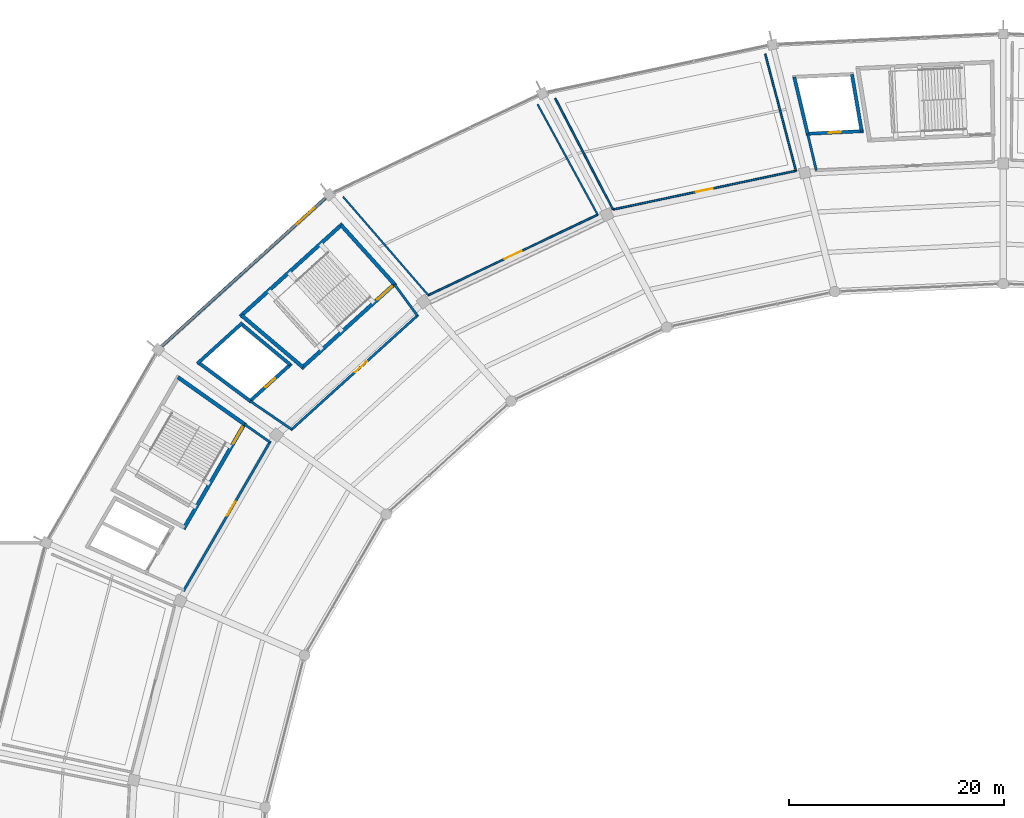
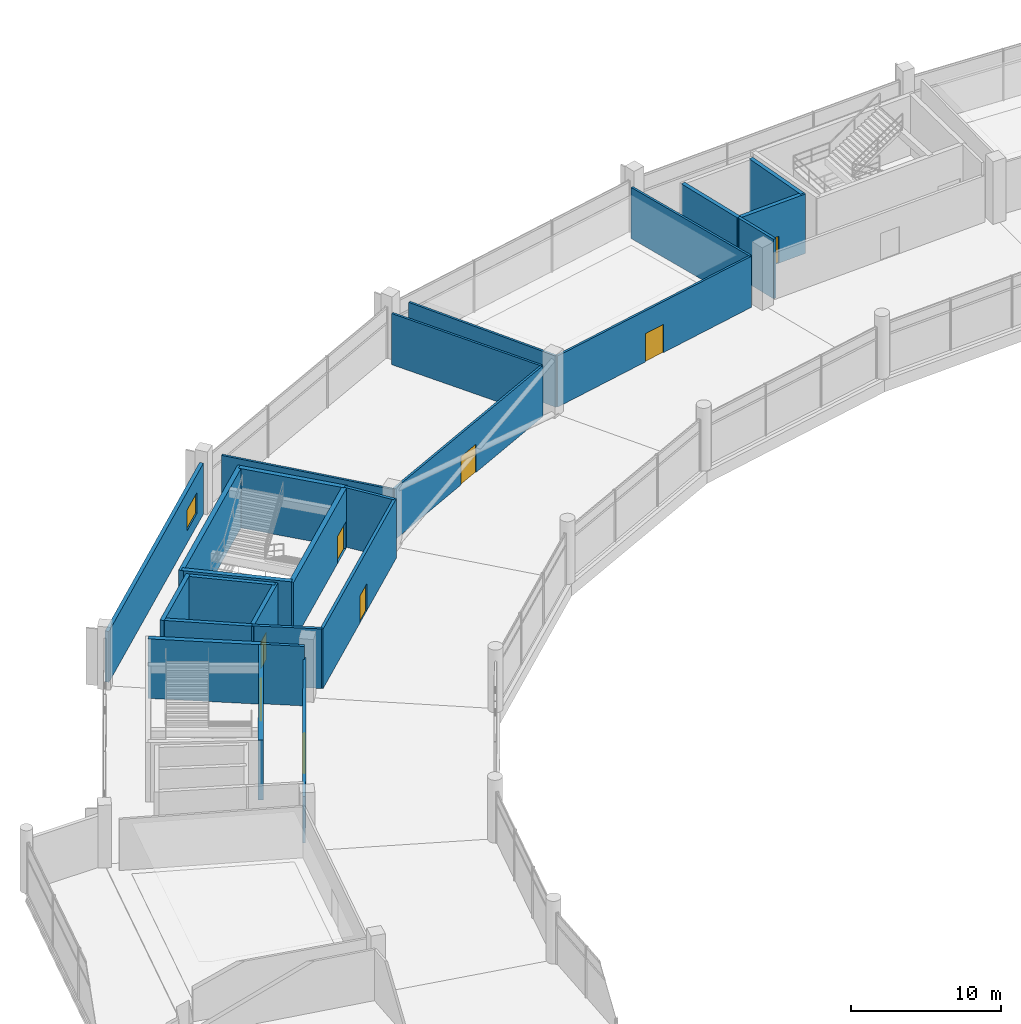
# One storey, part 150 of 184: 26 walls, 8 doors, 1 window, 9 openings.
"""IFC4 building model written with IfcOpenShell, lengths in metres."""

from ifc_helpers import new_model, si_unit, direction, frame, frame_2d, origin, place, context, subcontext, project, spatial, rectangle, extrude, material, layer, layer_set, type_object, element, fill, save


model = new_model("IFC4")

# Units and contexts
model_context = context("Model", 3, precision=1e-05, world=origin(), true_north=direction((0.0, 1.0)))
body_context = subcontext(model_context, "Body", "Model", "MODEL_VIEW")
ifc_project = project(units=[si_unit("LENGTHUNIT", "METRE"), si_unit("AREAUNIT", "SQUARE_METRE"), si_unit("VOLUMEUNIT", "CUBIC_METRE"), si_unit("PLANEANGLEUNIT", "RADIAN"), si_unit("MASSUNIT", "GRAM", prefix="KILO")], contexts=[model_context])

# Site, building, storey
site_placement = place(None, origin())
site = spatial("IfcSite", under=ifc_project, at=site_placement, CompositionType="ELEMENT")
building_placement = place(site_placement, origin())
building = spatial("IfcBuilding", under=site, at=building_placement, Name="Kazemori Nagisa Stadium", CompositionType="ELEMENT")
storey_placement = place(building_placement, frame((0.0, 0.0, 10.5400390625)))
storey = spatial("IfcBuildingStorey", under=building, at=storey_placement, Name="L02", CompositionType="ELEMENT", Elevation=10.5400390625)

# Wall, opening, door
ifc_material_1 = material(Name="Concrete C40/50 (Fc42)", Category="concrete")
ifc_layer_1 = layer(ifc_material_1, 0.35009765625, Name="Concrete C40/50 (Fc42)", Category="concrete")
ifc_layer_set_1 = layer_set([ifc_layer_1], Name="Concrete C40/50 (Fc42)")
wall_type_1 = type_object("IfcWallType", Name="Wall_W-CORE-350", PredefinedType="SHEAR", material=ifc_layer_set_1)
wall_1_placement = place(storey_placement, frame((66.583251953125, 164.860107421875, 0.0), z_axis=(0.0, 0.0, 1.0), x_axis=(-0.741348929385, -0.671119784315, 0.0)))
wall_1 = element("IfcWall", 1, at=wall_1_placement, inside=storey, type_object=wall_type_1, Name="Core stair front shear wall ST02 L02", PredefinedType="SHEAR", context=body_context, shape_type="SweptSolid", body=[
    extrude(rectangle(XDim=11.826416015625, YDim=0.35009765625, at=frame_2d((5.9130859375, 0.0))), origin(), (0.0, 0.0, 1.0), 4.83984375),
])
opening_1_placement = place(wall_1_placement, frame((0.47509765625, 0.0, 0.0)))
opening_1 = element("IfcOpeningElement", 2, at=opening_1_placement, cuts=wall_1, Name="Opening D-ST-1800", PredefinedType="OPENING", context=body_context, shape_type="SweptSolid", body=[
    extrude(rectangle(XDim=1.800048828125, YDim=2.199951171875, at=frame_2d((0.89990234375, 1.10009765625))), frame((0.0, 0.18505859375, 0.0), z_axis=(0.0, -1.0, 0.0), x_axis=(1.0, 0.0, 0.0)), (0.0, 0.0, 1.0), 0.3701171875),
])
ifc_material_2 = material(Name="Galvanised steel sheet", Category="steel")
door_type_1 = type_object("IfcDoorType", Name="Door_D-ST-1800", OperationType="NOTDEFINED", PredefinedType="DOOR", material=ifc_material_2)
door_1_placement = place(opening_1_placement, frame((1.800048828125, 0.0, 0.0), z_axis=(0.0, 0.0, 1.0), x_axis=(-1.0, 0.0, 0.0)))
door_1 = element("IfcDoor", 3, at=door_1_placement, inside=storey, type_object=door_type_1, Name="Exit stair fire door ST02-L02", OperationType="SINGLE_SWING_LEFT", OverallHeight=2.199951171875, OverallWidth=1.800048828125, PredefinedType="DOOR", context=body_context, shape_type="SweptSolid", body=[
    extrude(rectangle(XDim=1.800048828125, YDim=2.199951171875, at=frame_2d((0.89990234375, 1.10009765625))), frame((0.0, 0.02490234375, 0.0), z_axis=(0.0, -1.0, 0.0), x_axis=(1.0, 0.0, 0.0)), (0.0, 0.0, 1.0), 0.050048828125),
])
fill(opening_1, door_1)

# Walls
wall_2_placement = place(storey_placement, frame((61.638671875, 170.3466796875, 0.0), z_axis=(0.0, 0.0, 1.0), x_axis=(-0.741351373721, -0.671117084183, 0.0)))
element("IfcWall", 4, at=wall_2_placement, inside=storey, type_object=wall_type_1, Name="Core stair rear shear wall ST02 L02", PredefinedType="SHEAR", context=body_context, shape_type="SweptSolid", body=[
    extrude(rectangle(XDim=12.830322265625, YDim=0.35009765625, at=frame_2d((6.4150390625, 0.0))), origin(), (0.0, 0.0, 1.0), 4.83984375),
])
wall_3_placement = place(storey_placement, frame((66.45361328125, 164.74267578125, 0.0), z_axis=(0.0, 0.0, 1.0), x_axis=(-0.669463145673, 0.742845270958, 0.0)))
element("IfcWall", 5, at=wall_3_placement, inside=storey, type_object=wall_type_1, Name="Core stair left shear wall ST02 L02", PredefinedType="SHEAR", context=body_context, shape_type="SweptSolid", body=[
    extrude(rectangle(XDim=7.385986328125, YDim=0.35009765625, at=frame_2d((3.69287109375, 0.0))), origin(), (0.0, 0.0, 1.0), 4.83984375),
])
wall_4_placement = place(storey_placement, frame((57.9453125, 157.04052734375, 0.0), z_axis=(0.0, 0.0, 1.0), x_axis=(-0.763422324031, 0.64589964791, 0.0)))
element("IfcWall", 6, at=wall_4_placement, inside=storey, type_object=wall_type_1, Name="Core stair right shear wall ST02 L02", PredefinedType="SHEAR", context=body_context, shape_type="SweptSolid", body=[
    extrude(rectangle(XDim=7.45166015625, YDim=0.35009765625, at=frame_2d((3.725830078125, 0.0))), origin(), (0.0, 0.0, 1.0), 4.83984375),
])

# Wall, opening, door
wall_5_placement = place(storey_placement, frame((52.6064453125, 151.89990234375, 0.0), z_axis=(0.0, 0.0, 1.0), x_axis=(-0.501587404838, -0.865106973332, 0.0)))
wall_5 = element("IfcWall", 7, at=wall_5_placement, inside=storey, type_object=wall_type_1, Name="Core stair front shear wall ST08 L02", PredefinedType="SHEAR", context=body_context, shape_type="SweptSolid", body=[
    extrude(rectangle(XDim=11.435302734375, YDim=0.35009765625, at=frame_2d((5.7177734375, 0.0))), origin(), (0.0, 0.0, 1.0), 4.83984375),
])
opening_2_placement = place(wall_5_placement, frame((0.47509765625, 0.0, 0.0)))
opening_2 = element("IfcOpeningElement", 8, at=opening_2_placement, cuts=wall_5, Name="Opening D-ST-1800", PredefinedType="OPENING", context=body_context, shape_type="SweptSolid", body=[
    extrude(rectangle(XDim=1.800048828125, YDim=2.199951171875, at=frame_2d((0.89990234375, 1.10009765625))), frame((0.0, 0.18505859375, 0.0), z_axis=(0.0, -1.0, 0.0), x_axis=(1.0, 0.0, 0.0)), (0.0, 0.0, 1.0), 0.3701171875),
])
door_2_placement = place(opening_2_placement, frame((1.800048828125, 0.0, 0.0), z_axis=(0.0, 0.0, 1.0), x_axis=(-1.0, 0.0, 0.0)))
door_2 = element("IfcDoor", 9, at=door_2_placement, inside=storey, type_object=door_type_1, Name="Exit stair fire door ST08-L02", OperationType="SINGLE_SWING_LEFT", OverallHeight=2.199951171875, OverallWidth=1.800048828125, PredefinedType="DOOR", context=body_context, shape_type="SweptSolid", body=[
    extrude(rectangle(XDim=1.800048828125, YDim=2.199951171875, at=frame_2d((0.89990234375, 1.10009765625))), frame((0.0, 0.02490234375, 0.0), z_axis=(0.0, -1.0, 0.0), x_axis=(1.0, 0.0, 0.0)), (0.0, 0.0, 1.0), 0.050048828125),
])
fill(opening_2, door_2)

# Wall
wall_6_placement = place(storey_placement, frame((52.518798828125, 151.748291015625, 0.0), z_axis=(0.0, 0.0, 1.0), x_axis=(-0.816983109824, 0.576661597701, 0.0)))
element("IfcWall", 10, at=wall_6_placement, inside=storey, type_object=wall_type_1, Name="Core stair left shear wall ST08 L02", PredefinedType="SHEAR", context=body_context, shape_type="SweptSolid", body=[
    extrude(rectangle(XDim=7.5439453125, YDim=0.35009765625, at=frame_2d((3.77197265625, 0.0))), origin(), (0.0, 0.0, 1.0), 4.83984375),
])

# Wall, opening, window
ifc_material_3 = material(Name="Concrete C40/50 (Fc42) precast", Category="concrete")
ifc_layer_2 = layer(ifc_material_3, 0.27490234375, Name="Concrete C40/50 (Fc42) precast", Category="concrete")
ifc_layer_set_2 = layer_set([ifc_layer_2], Name="Concrete C40/50 (Fc42) precast")
wall_type_2 = type_object("IfcWallType", Name="Wall_W-EXT-275", PredefinedType="SOLIDWALL", material=ifc_layer_set_2)
wall_7_placement = place(storey_placement, frame((60.075927734375, 172.763671875, 0.0), z_axis=(0.0, 0.0, 1.0), x_axis=(-0.741352367697, -0.671115986183, 0.0)))
wall_7 = element("IfcWall", 11, at=wall_7_placement, inside=storey, type_object=wall_type_2, Name="Exterior facade wall L02-11", PredefinedType="SOLIDWALL", context=body_context, shape_type="SweptSolid", body=[
    extrude(rectangle(XDim=20.56396484375, YDim=0.27490234375, at=frame_2d((10.281982421875, 0.0))), origin(), (0.0, 0.0, 1.0), 4.137939453125),
])
opening_3_placement = place(wall_7_placement, frame((1.39990234375, 0.0, 1.0)))
opening_3 = element("IfcOpeningElement", 12, at=opening_3_placement, cuts=wall_7, Name="Opening WIN-L02-2200", PredefinedType="OPENING", context=body_context, shape_type="SweptSolid", body=[
    extrude(rectangle(XDim=2.199951171875, YDim=1.699951171875, at=frame_2d((1.10009765625, 0.85009765625))), frame((0.0, 0.1474609375, 0.0), z_axis=(0.0, -1.0, 0.0), x_axis=(1.0, 0.0, 0.0)), (0.0, 0.0, 1.0), 0.294921875),
])
ifc_material_4 = material(Name="Low-e laminated double glazing", Category="glass")
window_type = type_object("IfcWindowType", Name="Window_WIN-L02-2200", PartitioningType="SINGLE_PANEL", PredefinedType="WINDOW", material=ifc_material_4)
window_placement = place(opening_3_placement, origin())
window = element("IfcWindow", 13, at=window_placement, inside=storey, type_object=window_type, Name="Core lobby window L02-11", OverallHeight=1.699951171875, OverallWidth=2.199951171875, PartitioningType="SINGLE_PANEL", PredefinedType="WINDOW", context=body_context, shape_type="SweptSolid", body=[
    extrude(rectangle(XDim=2.199951171875, YDim=1.699951171875, at=frame_2d((1.10009765625, 0.85009765625))), frame((0.0, 0.030029296875, 0.0), z_axis=(0.0, -1.0, 0.0), x_axis=(1.0, 0.0, 0.0)), (0.0, 0.0, 1.0), 0.06005859375),
])
fill(opening_3, window)

# Wall
ifc_material_5 = material(Name="Concrete C36/45 (Fc36)", Category="concrete")
ifc_layer_3 = layer(ifc_material_5, 0.219970703125, Name="Concrete C36/45 (Fc36)", Category="concrete")
ifc_layer_set_3 = layer_set([ifc_layer_3], Name="Concrete C36/45 (Fc36)")
wall_type_3 = type_object("IfcWallType", Name="Wall_W-LOBBY-220", PredefinedType="SOLIDWALL", material=ifc_layer_set_3)
wall_8_placement = place(storey_placement, frame((105.6376953125, 175.31103515625, 0.0), z_axis=(0.0, 0.0, 1.0), x_axis=(-0.230522067539, 0.973067097572, 0.0)))
element("IfcWall", 14, at=wall_8_placement, inside=storey, type_object=wall_type_3, Name="Core lobby right wall ST05 L02", PredefinedType="SOLIDWALL", context=body_context, shape_type="SweptSolid", body=[
    extrude(rectangle(XDim=3.49609375, YDim=0.219970703125, at=frame_2d((1.748046875, 0.0))), origin(), (0.0, 0.0, 1.0), 4.83984375),
])

# Wall, opening, door
wall_9_placement = place(storey_placement, frame((68.672607421875, 161.89794921875, 0.0), z_axis=(0.0, 0.0, 1.0), x_axis=(-0.741351035574, -0.671117457717, 0.0)))
wall_9 = element("IfcWall", 15, at=wall_9_placement, inside=storey, type_object=wall_type_3, Name="Core lobby fire wall ST02 L02", PredefinedType="SOLIDWALL", context=body_context, shape_type="SweptSolid", body=[
    extrude(rectangle(XDim=15.96923828125, YDim=0.219970703125, at=frame_2d((7.984619140625, 0.0))), origin(), (0.0, 0.0, 1.0), 4.83984375),
])
opening_4_placement = place(wall_9_placement, frame((6.447021484375, 0.0, 0.0)))
opening_4 = element("IfcOpeningElement", 16, at=opening_4_placement, cuts=wall_9, Name="Opening D-FFL-1500", PredefinedType="OPENING", context=body_context, shape_type="SweptSolid", body=[
    extrude(rectangle(XDim=1.5, YDim=2.199951171875, at=frame_2d((0.75, 1.10009765625))), frame((0.0, 0.119873046875, 0.0), z_axis=(0.0, -1.0, 0.0), x_axis=(1.0, 0.0, 0.0)), (0.0, 0.0, 1.0), 0.239990234375),
])
door_type_2 = type_object("IfcDoorType", Name="Door_D-FFL-1500", OperationType="NOTDEFINED", PredefinedType="DOOR", material=ifc_material_2)
door_3_placement = place(opening_4_placement, frame((1.5, 0.0, 0.0), z_axis=(0.0, 0.0, 1.0), x_axis=(-1.0, 0.0, 0.0)))
door_3 = element("IfcDoor", 17, at=door_3_placement, inside=storey, type_object=door_type_2, Name="Protected lobby fire door ST02-L02", OperationType="DOUBLE_DOOR_SINGLE_SWING", OverallHeight=2.199951171875, OverallWidth=1.5, PredefinedType="DOOR", context=body_context, shape_type="SweptSolid", body=[
    extrude(rectangle(XDim=1.5, YDim=2.199951171875, at=frame_2d((0.75, 1.10009765625))), frame((0.0, 0.02490234375, 0.0), z_axis=(0.0, -1.0, 0.0), x_axis=(1.0, 0.0, 0.0)), (0.0, 0.0, 1.0), 0.050048828125),
])
fill(opening_4, door_3)

# Walls
wall_10_placement = place(storey_placement, frame((68.591064453125, 161.823974609375, 0.0), z_axis=(0.0, 0.0, 1.0), x_axis=(-0.590836915359, 0.806791013491, 0.0)))
element("IfcWall", 18, at=wall_10_placement, inside=storey, type_object=wall_type_3, Name="Core lobby left wall ST02 L02", PredefinedType="SOLIDWALL", context=body_context, shape_type="SweptSolid", body=[
    extrude(rectangle(XDim=3.61767578125, YDim=0.219970703125, at=frame_2d((1.808837890625, 0.0))), origin(), (0.0, 0.0, 1.0), 4.83984375),
])
wall_11_placement = place(storey_placement, frame((56.915283203125, 151.25439453125, 0.0), z_axis=(0.0, 0.0, 1.0), x_axis=(-0.825385410642, 0.564569680287, 0.0)))
element("IfcWall", 19, at=wall_11_placement, inside=storey, type_object=wall_type_3, Name="Core lobby right wall ST02 L02", PredefinedType="SOLIDWALL", context=body_context, shape_type="SweptSolid", body=[
    extrude(rectangle(XDim=4.673828125, YDim=0.219970703125, at=frame_2d((2.3369140625, 0.0))), origin(), (0.0, 0.0, 1.0), 4.83984375),
])

# Wall, opening, door
wall_12_placement = place(storey_placement, frame((54.9443359375, 150.17041015625, 0.0), z_axis=(0.0, 0.0, 1.0), x_axis=(-0.501612626242, -0.865092349518, 0.0)))
wall_12 = element("IfcWall", 20, at=wall_12_placement, inside=storey, type_object=wall_type_3, Name="Core lobby fire wall ST08 L02", PredefinedType="SOLIDWALL", context=body_context, shape_type="SweptSolid", body=[
    extrude(rectangle(XDim=16.110107421875, YDim=0.219970703125, at=frame_2d((8.05517578125, 0.0))), origin(), (0.0, 0.0, 1.0), 3.787841796875),
])
opening_5_placement = place(wall_12_placement, frame((6.510986328125, 0.0, 0.0)))
opening_5 = element("IfcOpeningElement", 21, at=opening_5_placement, cuts=wall_12, Name="Opening D-FFL-1500", PredefinedType="OPENING", context=body_context, shape_type="SweptSolid", body=[
    extrude(rectangle(XDim=1.5, YDim=2.199951171875, at=frame_2d((0.75, 1.10009765625))), frame((0.0, 0.119873046875, 0.0), z_axis=(0.0, -1.0, 0.0), x_axis=(1.0, 0.0, 0.0)), (0.0, 0.0, 1.0), 0.239990234375),
])
door_4_placement = place(opening_5_placement, frame((1.5, 0.0, 0.0), z_axis=(0.0, 0.0, 1.0), x_axis=(-1.0, 0.0, 0.0)))
door_4 = element("IfcDoor", 22, at=door_4_placement, inside=storey, type_object=door_type_2, Name="Protected lobby fire door ST08-L02", OperationType="DOUBLE_DOOR_SINGLE_SWING", OverallHeight=2.199951171875, OverallWidth=1.5, PredefinedType="DOOR", context=body_context, shape_type="SweptSolid", body=[
    extrude(rectangle(XDim=1.5, YDim=2.199951171875, at=frame_2d((0.75, 1.10009765625))), frame((0.0, 0.02490234375, 0.0), z_axis=(0.0, -1.0, 0.0), x_axis=(1.0, 0.0, 0.0)), (0.0, 0.0, 1.0), 0.050048828125),
])
fill(opening_5, door_4)

# Wall
wall_13_placement = place(storey_placement, frame((54.88916015625, 150.0751953125, 0.0), z_axis=(0.0, 0.0, 1.0), x_axis=(-0.816984187086, 0.57666007149, 0.0)))
element("IfcWall", 23, at=wall_13_placement, inside=storey, type_object=wall_type_3, Name="Core lobby left wall ST08 L02", PredefinedType="SOLIDWALL", context=body_context, shape_type="SweptSolid", body=[
    extrude(rectangle(XDim=2.9013671875, YDim=0.219970703125, at=frame_2d((1.45068359375, 0.0))), origin(), (0.0, 0.0, 1.0), 4.83984375),
])

# Wall, opening, door
ifc_material_6 = material(Name="Gypsum plasterboard", Category="gypsum")
ifc_layer_4 = layer(ifc_material_6, 0.1650390625, Name="Gypsum plasterboard", Category="gypsum")
ifc_layer_set_4 = layer_set([ifc_layer_4], Name="Gypsum plasterboard")
wall_type_4 = type_object("IfcWallType", Name="Wall_W-PART-165", PredefinedType="PARTITIONING", material=ifc_layer_set_4)
wall_14_placement = place(storey_placement, frame((103.747802734375, 175.272216796875, 0.0), z_axis=(0.0, 0.0, 1.0), x_axis=(-0.978347075804, -0.206971010692, 0.0)))
wall_14 = element("IfcWall", 24, at=wall_14_placement, inside=storey, type_object=wall_type_4, Name="Room corridor partition L02-B09", PredefinedType="PARTITIONING", context=body_context, shape_type="SweptSolid", body=[
    extrude(rectangle(XDim=17.3681640625, YDim=0.1650390625, at=frame_2d((8.68408203125, 0.0))), origin(), (0.0, 0.0, 1.0), 4.159912109375),
])
opening_6_placement = place(wall_14_placement, frame((7.884033203125, 0.0, 0.0)))
opening_6 = element("IfcOpeningElement", 25, at=opening_6_placement, cuts=wall_14, Name="Opening D-LNG-1600", PredefinedType="OPENING", context=body_context, shape_type="SweptSolid", body=[
    extrude(rectangle(XDim=1.60009765625, YDim=2.300048828125, at=frame_2d((0.800048828125, 1.14990234375))), frame((0.0, 0.092529296875, 0.0), z_axis=(0.0, -1.0, 0.0), x_axis=(1.0, 0.0, 0.0)), (0.0, 0.0, 1.0), 0.18505859375),
])
ifc_material_7 = material(Name="Anodised aluminium 6063-T5", Category="aluminium")
door_type_3 = type_object("IfcDoorType", Name="Door_D-LNG-1600", OperationType="NOTDEFINED", PredefinedType="DOOR", material=ifc_material_7)
door_5_placement = place(opening_6_placement, origin())
door_5 = element("IfcDoor", 26, at=door_5_placement, inside=storey, type_object=door_type_3, Name="Room entrance door D-LNG-1600 L02-B09", OperationType="DOUBLE_DOOR_SINGLE_SWING", OverallHeight=2.300048828125, OverallWidth=1.60009765625, PredefinedType="DOOR", context=body_context, shape_type="SweptSolid", body=[
    extrude(rectangle(XDim=1.60009765625, YDim=2.300048828125, at=frame_2d((0.800048828125, 1.14990234375))), frame((0.0, 0.02490234375, 0.0), z_axis=(0.0, -1.0, 0.0), x_axis=(1.0, 0.0, 0.0)), (0.0, 0.0, 1.0), 0.050048828125),
])
fill(opening_6, door_5)

# Walls
wall_15_placement = place(storey_placement, frame((103.747802734375, 175.272216796875, 0.0), z_axis=(0.0, 0.0, 1.0), x_axis=(-0.254131382846, 0.967169706025, 0.0)))
element("IfcWall", 27, at=wall_15_placement, inside=storey, type_object=wall_type_4, Name="Room radial partition L02-B09-L", PredefinedType="PARTITIONING", context=body_context, shape_type="SweptSolid", body=[
    extrude(rectangle(XDim=11.2236328125, YDim=0.1650390625, at=frame_2d((5.61181640625, 0.0))), origin(), (0.0, 0.0, 1.0), 4.159912109375),
])
wall_16_placement = place(storey_placement, frame((86.755615234375, 171.677490234375, 0.0), z_axis=(0.0, 0.0, 1.0), x_axis=(-0.46148287956, 0.88714911479, 0.0)))
element("IfcWall", 28, at=wall_16_placement, inside=storey, type_object=wall_type_4, Name="Room radial partition L02-B09-R", PredefinedType="PARTITIONING", context=body_context, shape_type="SweptSolid", body=[
    extrude(rectangle(XDim=11.635498046875, YDim=0.1650390625, at=frame_2d((5.81787109375, 0.0))), origin(), (0.0, 0.0, 1.0), 4.159912109375),
])

# Wall, opening, door
wall_17_placement = place(storey_placement, frame((85.332763671875, 171.196044921875, 0.0), z_axis=(0.0, 0.0, 1.0), x_axis=(-0.903217202186, -0.429183743488, 0.0)))
wall_17 = element("IfcWall", 29, at=wall_17_placement, inside=storey, type_object=wall_type_4, Name="Room corridor partition L02-B10", PredefinedType="PARTITIONING", context=body_context, shape_type="SweptSolid", body=[
    extrude(rectangle(XDim=17.419189453125, YDim=0.1650390625, at=frame_2d((8.70947265625, 0.0))), origin(), (0.0, 0.0, 1.0), 4.159912109375),
])
opening_7_placement = place(wall_17_placement, frame((7.8349609375, 0.0, 0.0)))
opening_7 = element("IfcOpeningElement", 30, at=opening_7_placement, cuts=wall_17, Name="Opening D-DIN-1750", PredefinedType="OPENING", context=body_context, shape_type="SweptSolid", body=[
    extrude(rectangle(XDim=1.75, YDim=2.300048828125, at=frame_2d((0.875, 1.14990234375))), frame((0.0, 0.092529296875, 0.0), z_axis=(0.0, -1.0, 0.0), x_axis=(1.0, 0.0, 0.0)), (0.0, 0.0, 1.0), 0.18505859375),
])
door_type_4 = type_object("IfcDoorType", Name="Door_D-DIN-1750", OperationType="NOTDEFINED", PredefinedType="DOOR", material=ifc_material_7)
door_6_placement = place(opening_7_placement, origin())
door_6 = element("IfcDoor", 31, at=door_6_placement, inside=storey, type_object=door_type_4, Name="Room entrance door D-DIN-1750 L02-B10", OperationType="DOUBLE_DOOR_SINGLE_SWING", OverallHeight=2.300048828125, OverallWidth=1.75, PredefinedType="DOOR", context=body_context, shape_type="SweptSolid", body=[
    extrude(rectangle(XDim=1.75, YDim=2.300048828125, at=frame_2d((0.875, 1.14990234375))), frame((0.0, 0.02490234375, 0.0), z_axis=(0.0, -1.0, 0.0), x_axis=(1.0, 0.0, 0.0)), (0.0, 0.0, 1.0), 0.050048828125),
])
fill(opening_7, door_6)

# Walls
wall_18_placement = place(storey_placement, frame((85.332763671875, 171.196044921875, 0.0), z_axis=(0.0, 0.0, 1.0), x_axis=(-0.478125060974, 0.878291765912, 0.0)))
element("IfcWall", 32, at=wall_18_placement, inside=storey, type_object=wall_type_4, Name="Room radial partition L02-B10-L", PredefinedType="PARTITIONING", context=body_context, shape_type="SweptSolid", body=[
    extrude(rectangle(XDim=11.671875, YDim=0.1650390625, at=frame_2d((5.8359375, 0.0))), origin(), (0.0, 0.0, 1.0), 4.159912109375),
])
wall_19_placement = place(storey_placement, frame((69.599365234375, 163.719970703125, 0.0), z_axis=(0.0, 0.0, 1.0), x_axis=(-0.654293035882, 0.756241114458, 0.0)))
element("IfcWall", 33, at=wall_19_placement, inside=storey, type_object=wall_type_4, Name="Room radial partition L02-B10-R", PredefinedType="PARTITIONING", context=body_context, shape_type="SweptSolid", body=[
    extrude(rectangle(XDim=12.091064453125, YDim=0.1650390625, at=frame_2d((6.04541015625, 0.0))), origin(), (0.0, 0.0, 1.0), 4.159912109375),
])

# Wall, opening, door
ifc_layer_5 = layer(ifc_material_1, 0.300048828125, Name="Concrete C40/50 (Fc42)", Category="concrete")
ifc_layer_set_5 = layer_set([ifc_layer_5], Name="Concrete C40/50 (Fc42)")
wall_type_5 = type_object("IfcWallType", Name="Wall_W-SHAFT-300", PredefinedType="SHEAR", material=ifc_layer_set_5)
wall_20_placement = place(storey_placement, frame((110.007080078125, 178.95751953125, 0.0), z_axis=(0.0, 0.0, 1.0), x_axis=(-0.998884655258, -0.047217004244, 0.0)))
wall_20 = element("IfcWall", 34, at=wall_20_placement, inside=storey, type_object=wall_type_5, Name="Lift shaft front wall LP1 L02", PredefinedType="SHEAR", context=body_context, shape_type="SweptSolid", body=[
    extrude(rectangle(XDim=5.330810546875, YDim=0.300048828125, at=frame_2d((2.66552734375, 0.0))), origin(), (0.0, 0.0, 1.0), 4.83984375),
])
opening_8_placement = place(wall_20_placement, frame((2.114990234375, 0.0, 0.0)))
opening_8 = element("IfcOpeningElement", 35, at=opening_8_placement, cuts=wall_20, Name="Opening LD-PAX", PredefinedType="OPENING", context=body_context, shape_type="SweptSolid", body=[
    extrude(rectangle(XDim=1.10009765625, YDim=2.199951171875, at=frame_2d((0.550048828125, 1.10009765625))), frame((0.0, 0.159912109375, 0.0), z_axis=(0.0, -1.0, 0.0), x_axis=(1.0, 0.0, 0.0)), (0.0, 0.0, 1.0), 0.320068359375),
])
ifc_material_8 = material(Name="Stainless steel SUS304", Category="steel")
door_type_5 = type_object("IfcDoorType", Name="Door_LD-PAX", OperationType="SLIDING_TO_RIGHT", PredefinedType="DOOR", material=ifc_material_8)
door_7_placement = place(opening_8_placement, origin())
door_7 = element("IfcDoor", 36, at=door_7_placement, inside=storey, type_object=door_type_5, Name="Lift landing door LP1-L02", OperationType="SLIDING_TO_RIGHT", OverallHeight=2.199951171875, OverallWidth=1.10009765625, PredefinedType="DOOR", context=body_context, shape_type="SweptSolid", body=[
    extrude(rectangle(XDim=1.10009765625, YDim=2.199951171875, at=frame_2d((0.550048828125, 1.10009765625))), frame((0.0, 0.02490234375, 0.0), z_axis=(0.0, -1.0, 0.0), x_axis=(1.0, 0.0, 0.0)), (0.0, 0.0, 1.0), 0.050048828125),
])
fill(opening_8, door_7)

# Walls
wall_21_placement = place(storey_placement, frame((109.857177734375, 178.95068359375, 0.0), z_axis=(0.0, 0.0, 1.0), x_axis=(-0.168396746868, 0.985719298606, 0.0)))
element("IfcWall", 37, at=wall_21_placement, inside=storey, type_object=wall_type_5, Name="Lift shaft L wall LP1 L02", PredefinedType="SHEAR", context=body_context, shape_type="SweptSolid", body=[
    extrude(rectangle(XDim=5.36572265625, YDim=0.300048828125, at=frame_2d((2.682861328125, 0.0))), origin(), (0.0, 0.0, 1.0), 4.83984375),
])
wall_22_placement = place(storey_placement, frame((104.831787109375, 178.712890625, 0.0), z_axis=(0.0, 0.0, 1.0), x_axis=(-0.230452911873, 0.97308347813, 0.0)))
element("IfcWall", 38, at=wall_22_placement, inside=storey, type_object=wall_type_5, Name="Lift shaft R wall LP1 L02", PredefinedType="SHEAR", context=body_context, shape_type="SweptSolid", body=[
    extrude(rectangle(XDim=5.418701171875, YDim=0.300048828125, at=frame_2d((2.70947265625, 0.0))), origin(), (0.0, 0.0, 1.0), 4.83984375),
])

# Wall, opening, door
wall_23_placement = place(storey_placement, frame((56.89697265625, 157.368896484375, 0.0), z_axis=(0.0, 0.0, 1.0), x_axis=(-0.741350155641, -0.671118429736, 0.0)))
wall_23 = element("IfcWall", 39, at=wall_23_placement, inside=storey, type_object=wall_type_5, Name="Lift shaft front wall FL2 L02", PredefinedType="SHEAR", context=body_context, shape_type="SweptSolid", body=[
    extrude(rectangle(XDim=5.3291015625, YDim=0.300048828125, at=frame_2d((2.66455078125, 0.0))), origin(), (0.0, 0.0, 1.0), 4.83984375),
])
opening_9_placement = place(wall_23_placement, frame((2.06494140625, 0.0, 0.0)))
opening_9 = element("IfcOpeningElement", 40, at=opening_9_placement, cuts=wall_23, Name="Opening LD-FF", PredefinedType="OPENING", context=body_context, shape_type="SweptSolid", body=[
    extrude(rectangle(XDim=1.199951171875, YDim=2.199951171875, at=frame_2d((0.60009765625, 1.10009765625))), frame((0.0, 0.159912109375, 0.0), z_axis=(0.0, -1.0, 0.0), x_axis=(1.0, 0.0, 0.0)), (0.0, 0.0, 1.0), 0.320068359375),
])
door_type_6 = type_object("IfcDoorType", Name="Door_LD-FF", OperationType="SLIDING_TO_LEFT", PredefinedType="DOOR", material=ifc_material_8)
door_8_placement = place(opening_9_placement, origin())
door_8 = element("IfcDoor", 41, at=door_8_placement, inside=storey, type_object=door_type_6, Name="Lift landing door FL2-L02", OperationType="SLIDING_TO_LEFT", OverallHeight=2.199951171875, OverallWidth=1.199951171875, PredefinedType="DOOR", context=body_context, shape_type="SweptSolid", body=[
    extrude(rectangle(XDim=1.199951171875, YDim=2.199951171875, at=frame_2d((0.60009765625, 1.10009765625))), frame((0.0, 0.02490234375, 0.0), z_axis=(0.0, -1.0, 0.0), x_axis=(1.0, 0.0, 0.0)), (0.0, 0.0, 1.0), 0.050048828125),
])
fill(opening_9, door_8)

# Walls
wall_24_placement = place(storey_placement, frame((52.345703125, 161.167724609375, 0.0), z_axis=(0.0, 0.0, 1.0), x_axis=(-0.74134208775, -0.671127341815, 0.0)))
element("IfcWall", 42, at=wall_24_placement, inside=storey, type_object=wall_type_5, Name="Lift shaft B wall FL2 L02", PredefinedType="SHEAR", context=body_context, shape_type="SweptSolid", body=[
    extrude(rectangle(XDim=5.674560546875, YDim=0.300048828125, at=frame_2d((2.83740234375, 0.0))), origin(), (0.0, 0.0, 1.0), 4.83984375),
])
wall_25_placement = place(storey_placement, frame((56.785888671875, 157.26806640625, 0.0), z_axis=(0.0, 0.0, 1.0), x_axis=(-0.767711354146, 0.640795815151, 0.0)))
element("IfcWall", 43, at=wall_25_placement, inside=storey, type_object=wall_type_5, Name="Lift shaft L wall FL2 L02", PredefinedType="SHEAR", context=body_context, shape_type="SweptSolid", body=[
    extrude(rectangle(XDim=5.9287109375, YDim=0.300048828125, at=frame_2d((2.96435546875, 0.0))), origin(), (0.0, 0.0, 1.0), 4.83984375),
])
wall_26_placement = place(storey_placement, frame((53.0576171875, 153.89306640625, 0.0), z_axis=(0.0, 0.0, 1.0), x_axis=(-0.803101805449, 0.59584183311, 0.0)))
element("IfcWall", 44, at=wall_26_placement, inside=storey, type_object=wall_type_5, Name="Lift shaft R wall FL2 L02", PredefinedType="SHEAR", context=body_context, shape_type="SweptSolid", body=[
    extrude(rectangle(XDim=5.986328125, YDim=0.300048828125, at=frame_2d((2.9931640625, 0.0))), origin(), (0.0, 0.0, 1.0), 4.83984375),
])

save(model, "model.ifc")
